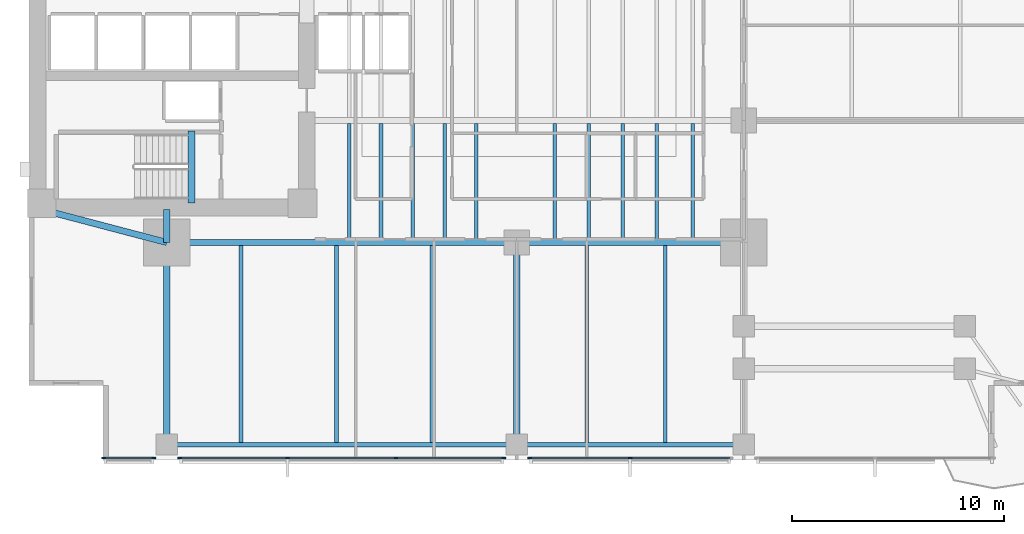
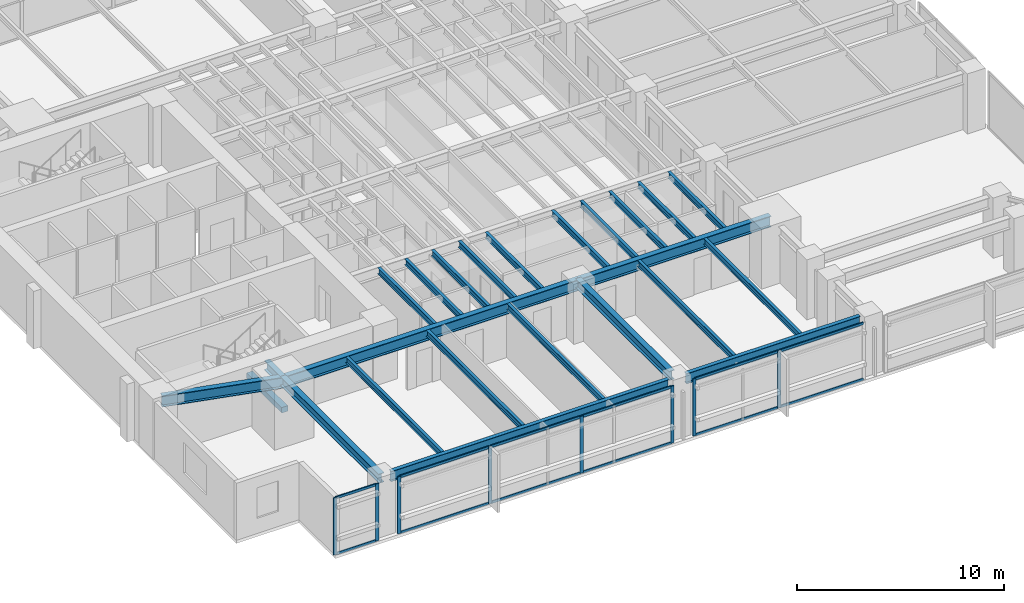
# One storey, part 2 of 16: 24 beams, 20 members, 3 elements without a shape of their own.
"""IFC4 building model written with IfcOpenShell, lengths in metres."""

from ifc_helpers import new_model, si_unit, direction, frame, origin, origin_2d, place, context, subcontext, project, spatial, rectangle, i_section, extrude, material, layer, layer_set, material_profile, profile_set, type_object, element, aggregate, save


model = new_model("IFC4")

# Units and contexts
model_context = context("Model", 3, precision=1e-05, world=origin(), true_north=direction((0.0, 1.0)))
body_context = subcontext(model_context, "Body", "Model", "MODEL_VIEW")
ifc_project = project(units=[si_unit("LENGTHUNIT", "METRE"), si_unit("AREAUNIT", "SQUARE_METRE"), si_unit("VOLUMEUNIT", "CUBIC_METRE"), si_unit("PLANEANGLEUNIT", "RADIAN"), si_unit("MASSUNIT", "GRAM", prefix="KILO")], contexts=[model_context])

# Site, building, storey
site_placement = place(None, origin())
site = spatial("IfcSite", under=ifc_project, at=site_placement, CompositionType="ELEMENT")
building_placement = place(site_placement, origin())
building = spatial("IfcBuilding", under=site, at=building_placement, Name="Kinhvarn Gate Tower", CompositionType="ELEMENT")
storey_placement = place(building_placement, frame((0.0, 0.0, 82.39990234375)))
storey = spatial("IfcBuildingStorey", under=building, at=storey_placement, Name="L21", CompositionType="ELEMENT", Elevation=82.39990234375)

# Beam
ifc_material_1 = material(Name="Concrete C50/60", Category="concrete")
ifc_material_profile_1 = material_profile(ifc_material_1, rectangle(XDim=0.340087890625, YDim=0.320068359375, at=origin_2d()), Name="RC 340x320")
ifc_profile_set_1 = profile_set([ifc_material_profile_1], Name="Concrete C50/60")
beam_type_1 = type_object("IfcBeamType", Name="BM-LND-500", PredefinedType="BEAM", material=ifc_profile_set_1)
beam_1_placement = place(storey_placement, frame((12.1650390625, 14.60009765625, -0.159912109375), z_axis=(0.0, 1.0, 0.0), x_axis=(-1.0, 0.0, 0.0)))
element("IfcBeam", 1, at=beam_1_placement, inside=storey, type_object=beam_type_1, Name="Stair ST1 Landing Nosing Beam (L21)", PredefinedType="BEAM", context=body_context, shape_type="SweptSolid", body=[
    extrude(rectangle(XDim=0.340087890625, YDim=0.320068359375, at=origin_2d()), origin(), (0.0, 0.0, 1.0), 3.39990234375),
])

# Curtain wall, members
ifc_material_2 = material(Name="Anodised aluminium AW-6063", Category="aluminium")
ifc_layer = layer(ifc_material_2, 0.179931640625)
ifc_layer_set = layer_set([ifc_layer], Name="Anodised aluminium AW-6063")
curtain_wall_type = type_object("IfcCurtainWallType", Name="CW-SYS-2", PredefinedType="NOTDEFINED", material=ifc_layer_set)
curtain_wall_1_placement = place(storey_placement, origin())
curtain_wall_1 = element("IfcCurtainWall", 2, at=curtain_wall_1_placement, inside=storey, type_object=curtain_wall_type, Name="Curtain Wall CW2 (L21)", PredefinedType="NOTDEFINED")
ifc_material_profile_2 = material_profile(ifc_material_2, rectangle(XDim=0.070068359375, YDim=0.179931640625, at=origin_2d()), Name="ALU 70x180")
ifc_profile_set_2 = profile_set([ifc_material_profile_2], Name="Anodised aluminium AW-6063")
member_type_1 = type_object("IfcMemberType", Name="CW-MUL-180", PredefinedType="MULLION", material=ifc_profile_set_2)
member_1_placement = place(storey_placement, frame((8.034912109375, 2.590087890625, 0.0), z_axis=(0.0, 0.0, 1.0), x_axis=(0.0, 1.0, 0.0)))
member_1 = element("IfcMember", 3, at=member_1_placement, type_object=member_type_1, Name="CW2 mullion 1", PredefinedType="MULLION", context=body_context, shape_type="SweptSolid", body=[
    extrude(rectangle(XDim=0.070068359375, YDim=0.179931640625, at=origin_2d()), origin(), (0.0, 0.0, 1.0), 3.3701171875),
])
member_2_placement = place(storey_placement, frame((10.385009765625, 2.590087890625, 0.0), z_axis=(0.0, 0.0, 1.0), x_axis=(0.0, 1.0, 0.0)))
member_2 = element("IfcMember", 4, at=member_2_placement, type_object=member_type_1, Name="CW2 mullion 2", PredefinedType="MULLION", context=body_context, shape_type="SweptSolid", body=[
    extrude(rectangle(XDim=0.070068359375, YDim=0.179931640625, at=origin_2d()), origin(), (0.0, 0.0, 1.0), 3.3701171875),
])

curtain_wall_2_placement = place(storey_placement, origin())
curtain_wall_2 = element("IfcCurtainWall", 5, at=curtain_wall_2_placement, inside=storey, type_object=curtain_wall_type, Name="Curtain Wall CW2 (L21)", PredefinedType="NOTDEFINED")
member_3_placement = place(storey_placement, frame((11.614990234375, 2.590087890625, 0.0), z_axis=(0.0, 0.0, 1.0), x_axis=(0.0, 1.0, 0.0)))
member_3 = element("IfcMember", 6, at=member_3_placement, type_object=member_type_1, Name="CW2 mullion 1", PredefinedType="MULLION", context=body_context, shape_type="SweptSolid", body=[
    extrude(rectangle(XDim=0.070068359375, YDim=0.179931640625, at=origin_2d()), origin(), (0.0, 0.0, 1.0), 3.3701171875),
])
member_4_placement = place(storey_placement, frame((16.693359375, 2.590087890625, 0.0), z_axis=(0.0, 0.0, 1.0), x_axis=(0.0, 1.0, 0.0)))
member_4 = element("IfcMember", 7, at=member_4_placement, type_object=member_type_1, Name="CW2 mullion 2", PredefinedType="MULLION", context=body_context, shape_type="SweptSolid", body=[
    extrude(rectangle(XDim=0.070068359375, YDim=0.179931640625, at=origin_2d()), origin(), (0.0, 0.0, 1.0), 3.3701171875),
])
member_5_placement = place(storey_placement, frame((21.806640625, 2.590087890625, 0.0), z_axis=(0.0, 0.0, 1.0), x_axis=(0.0, 1.0, 0.0)))
member_5 = element("IfcMember", 8, at=member_5_placement, type_object=member_type_1, Name="CW2 mullion 3", PredefinedType="MULLION", context=body_context, shape_type="SweptSolid", body=[
    extrude(rectangle(XDim=0.070068359375, YDim=0.179931640625, at=origin_2d()), origin(), (0.0, 0.0, 1.0), 3.3701171875),
])
member_6_placement = place(storey_placement, frame((26.885009765625, 2.590087890625, 0.0), z_axis=(0.0, 0.0, 1.0), x_axis=(0.0, 1.0, 0.0)))
member_6 = element("IfcMember", 9, at=member_6_placement, type_object=member_type_1, Name="CW2 mullion 4", PredefinedType="MULLION", context=body_context, shape_type="SweptSolid", body=[
    extrude(rectangle(XDim=0.070068359375, YDim=0.179931640625, at=origin_2d()), origin(), (0.0, 0.0, 1.0), 3.3701171875),
])

curtain_wall_3_placement = place(storey_placement, origin())
curtain_wall_3 = element("IfcCurtainWall", 10, at=curtain_wall_3_placement, inside=storey, type_object=curtain_wall_type, Name="Curtain Wall CW2 (L21)", PredefinedType="NOTDEFINED")
member_7_placement = place(storey_placement, frame((28.114990234375, 2.590087890625, 0.0), z_axis=(0.0, 0.0, 1.0), x_axis=(0.0, 1.0, 0.0)))
member_7 = element("IfcMember", 11, at=member_7_placement, type_object=member_type_1, Name="CW2 mullion 1", PredefinedType="MULLION", context=body_context, shape_type="SweptSolid", body=[
    extrude(rectangle(XDim=0.070068359375, YDim=0.179931640625, at=origin_2d()), origin(), (0.0, 0.0, 1.0), 3.3701171875),
])
member_8_placement = place(storey_placement, frame((32.85009765625, 2.590087890625, 0.0), z_axis=(0.0, 0.0, 1.0), x_axis=(0.0, 1.0, 0.0)))
member_8 = element("IfcMember", 12, at=member_8_placement, type_object=member_type_1, Name="CW2 mullion 2", PredefinedType="MULLION", context=body_context, shape_type="SweptSolid", body=[
    extrude(rectangle(XDim=0.070068359375, YDim=0.179931640625, at=origin_2d()), origin(), (0.0, 0.0, 1.0), 3.3701171875),
])

# Member
ifc_material_profile_3 = material_profile(ifc_material_2, rectangle(XDim=0.070068359375, YDim=0.139892578125, at=origin_2d()), Name="ALU 70x140")
ifc_profile_set_3 = profile_set([ifc_material_profile_3], Name="Anodised aluminium AW-6063")
member_type_2 = type_object("IfcMemberType", Name="CW-TRN-140", PredefinedType="USERDEFINED", material=ifc_profile_set_3)
member_9_placement = place(storey_placement, frame((8.070068359375, 2.590087890625, 0.03515625), z_axis=(1.0, 0.0, 0.0), x_axis=(0.0, 1.0, 0.0)))
member_9 = element("IfcMember", 13, at=member_9_placement, type_object=member_type_2, Name="CW2 transom 1.1", ObjectType="TRANSOM", PredefinedType="USERDEFINED", context=body_context, shape_type="SweptSolid", body=[
    extrude(rectangle(XDim=0.070068359375, YDim=0.139892578125, at=origin_2d()), origin(), (0.0, 0.0, 1.0), 2.280029296875),
])

member_10_placement = place(storey_placement, frame((8.070068359375, 2.590087890625, 3.335205078125), z_axis=(1.0, 0.0, 0.0), x_axis=(0.0, 1.0, 0.0)))
member_10 = element("IfcMember", 14, at=member_10_placement, type_object=member_type_2, Name="CW2 transom 1.2", ObjectType="TRANSOM", PredefinedType="USERDEFINED", context=body_context, shape_type="SweptSolid", body=[
    extrude(rectangle(XDim=0.070068359375, YDim=0.139892578125, at=origin_2d()), origin(), (0.0, 0.0, 1.0), 2.280029296875),
])

aggregate(curtain_wall_1, [member_1, member_2, member_9, member_10])

member_11_placement = place(storey_placement, frame((11.64990234375, 2.590087890625, 0.03515625), z_axis=(1.0, 0.0, 0.0), x_axis=(0.0, 1.0, 0.0)))
member_11 = element("IfcMember", 15, at=member_11_placement, type_object=member_type_2, Name="CW2 transom 1.1", ObjectType="TRANSOM", PredefinedType="USERDEFINED", context=body_context, shape_type="SweptSolid", body=[
    extrude(rectangle(XDim=0.070068359375, YDim=0.139892578125, at=origin_2d()), origin(), (0.0, 0.0, 1.0), 5.008544921875),
])

member_12_placement = place(storey_placement, frame((11.64990234375, 2.590087890625, 3.335205078125), z_axis=(1.0, 0.0, 0.0), x_axis=(0.0, 1.0, 0.0)))
member_12 = element("IfcMember", 16, at=member_12_placement, type_object=member_type_2, Name="CW2 transom 1.2", ObjectType="TRANSOM", PredefinedType="USERDEFINED", context=body_context, shape_type="SweptSolid", body=[
    extrude(rectangle(XDim=0.070068359375, YDim=0.139892578125, at=origin_2d()), origin(), (0.0, 0.0, 1.0), 5.008544921875),
])

member_13_placement = place(storey_placement, frame((16.728271484375, 2.590087890625, 0.03515625), z_axis=(1.0, 0.0, 0.0), x_axis=(0.0, 1.0, 0.0)))
member_13 = element("IfcMember", 17, at=member_13_placement, type_object=member_type_2, Name="CW2 transom 2.1", ObjectType="TRANSOM", PredefinedType="USERDEFINED", context=body_context, shape_type="SweptSolid", body=[
    extrude(rectangle(XDim=0.070068359375, YDim=0.139892578125, at=origin_2d()), origin(), (0.0, 0.0, 1.0), 5.04345703125),
])

member_14_placement = place(storey_placement, frame((16.728271484375, 2.590087890625, 3.335205078125), z_axis=(1.0, 0.0, 0.0), x_axis=(0.0, 1.0, 0.0)))
member_14 = element("IfcMember", 18, at=member_14_placement, type_object=member_type_2, Name="CW2 transom 2.2", ObjectType="TRANSOM", PredefinedType="USERDEFINED", context=body_context, shape_type="SweptSolid", body=[
    extrude(rectangle(XDim=0.070068359375, YDim=0.139892578125, at=origin_2d()), origin(), (0.0, 0.0, 1.0), 5.04345703125),
])

member_15_placement = place(storey_placement, frame((21.841552734375, 2.590087890625, 0.03515625), z_axis=(1.0, 0.0, 0.0), x_axis=(0.0, 1.0, 0.0)))
member_15 = element("IfcMember", 19, at=member_15_placement, type_object=member_type_2, Name="CW2 transom 3.1", ObjectType="TRANSOM", PredefinedType="USERDEFINED", context=body_context, shape_type="SweptSolid", body=[
    extrude(rectangle(XDim=0.070068359375, YDim=0.139892578125, at=origin_2d()), origin(), (0.0, 0.0, 1.0), 5.008544921875),
])

member_16_placement = place(storey_placement, frame((21.841552734375, 2.590087890625, 3.335205078125), z_axis=(1.0, 0.0, 0.0), x_axis=(0.0, 1.0, 0.0)))
member_16 = element("IfcMember", 20, at=member_16_placement, type_object=member_type_2, Name="CW2 transom 3.2", ObjectType="TRANSOM", PredefinedType="USERDEFINED", context=body_context, shape_type="SweptSolid", body=[
    extrude(rectangle(XDim=0.070068359375, YDim=0.139892578125, at=origin_2d()), origin(), (0.0, 0.0, 1.0), 5.008544921875),
])

aggregate(curtain_wall_2, [member_3, member_4, member_5, member_6, member_11, member_12, member_13, member_14, member_15, member_16])

member_17_placement = place(storey_placement, frame((28.14990234375, 2.590087890625, 0.03515625), z_axis=(1.0, 0.0, 0.0), x_axis=(0.0, 1.0, 0.0)))
member_17 = element("IfcMember", 21, at=member_17_placement, type_object=member_type_2, Name="CW2 transom 1.1", ObjectType="TRANSOM", PredefinedType="USERDEFINED", context=body_context, shape_type="SweptSolid", body=[
    extrude(rectangle(XDim=0.070068359375, YDim=0.139892578125, at=origin_2d()), origin(), (0.0, 0.0, 1.0), 4.6650390625),
])

member_18_placement = place(storey_placement, frame((28.14990234375, 2.590087890625, 3.335205078125), z_axis=(1.0, 0.0, 0.0), x_axis=(0.0, 1.0, 0.0)))
member_18 = element("IfcMember", 22, at=member_18_placement, type_object=member_type_2, Name="CW2 transom 1.2", ObjectType="TRANSOM", PredefinedType="USERDEFINED", context=body_context, shape_type="SweptSolid", body=[
    extrude(rectangle(XDim=0.070068359375, YDim=0.139892578125, at=origin_2d()), origin(), (0.0, 0.0, 1.0), 4.6650390625),
])

member_19_placement = place(storey_placement, frame((32.885009765625, 2.590087890625, 0.03515625), z_axis=(1.0, 0.0, 0.0), x_axis=(0.0, 1.0, 0.0)))
member_19 = element("IfcMember", 23, at=member_19_placement, type_object=member_type_2, Name="CW2 transom 2.1", ObjectType="TRANSOM", PredefinedType="USERDEFINED", context=body_context, shape_type="SweptSolid", body=[
    extrude(rectangle(XDim=0.070068359375, YDim=0.139892578125, at=origin_2d()), origin(), (0.0, 0.0, 1.0), 4.6650390625),
])

member_20_placement = place(storey_placement, frame((32.885009765625, 2.590087890625, 3.335205078125), z_axis=(1.0, 0.0, 0.0), x_axis=(0.0, 1.0, 0.0)))
member_20 = element("IfcMember", 24, at=member_20_placement, type_object=member_type_2, Name="CW2 transom 2.2", ObjectType="TRANSOM", PredefinedType="USERDEFINED", context=body_context, shape_type="SweptSolid", body=[
    extrude(rectangle(XDim=0.070068359375, YDim=0.139892578125, at=origin_2d()), origin(), (0.0, 0.0, 1.0), 4.6650390625),
])

aggregate(curtain_wall_3, [member_7, member_8, member_17, member_18, member_19, member_20])

# Beams
ifc_material_3 = material(Name="Steel S355", Category="steel")
ifc_material_profile_4 = material_profile(ifc_material_3, i_section(OverallWidth=0.300048828125, OverallDepth=0.550048828125, WebThickness=0.014892578125, FlangeThickness=0.029052734375, at=origin_2d()), Name="HEB 550")
ifc_profile_set_4 = profile_set([ifc_material_profile_4], Name="Steel S355")
beam_type_2 = type_object("IfcBeamType", Name="STL-HEB550", PredefinedType="BEAM", material=ifc_profile_set_4)
beam_2_placement = place(storey_placement, frame((11.0, 3.219970703125, 3.09521484375), z_axis=(0.0, 1.0, 0.0), x_axis=(-1.0, 0.0, 0.0)))
element("IfcBeam", 25, at=beam_2_placement, inside=storey, type_object=beam_type_2, Name="Floor Beam PG-15 (L21 MCW-S)", PredefinedType="BEAM", context=body_context, shape_type="SweptSolid", body=[
    extrude(i_section(OverallWidth=0.300048828125, OverallDepth=0.550048828125, WebThickness=0.014892578125, FlangeThickness=0.029052734375, at=origin_2d()), origin(), (0.0, 0.0, 1.0), 9.530029296875),
])
beam_3_placement = place(storey_placement, frame((11.0, 12.75, 3.09521484375), z_axis=(0.0, 1.0, 0.0), x_axis=(-1.0, 0.0, 0.0)))
element("IfcBeam", 26, at=beam_3_placement, inside=storey, type_object=beam_type_2, Name="Floor Beam PG-15 (L21 MCW-CS)", PredefinedType="BEAM", context=body_context, shape_type="SweptSolid", body=[
    extrude(i_section(OverallWidth=0.300048828125, OverallDepth=0.550048828125, WebThickness=0.014892578125, FlangeThickness=0.029052734375, at=origin_2d()), origin(), (0.0, 0.0, 1.0), 1.550048828125),
])
beam_4_placement = place(storey_placement, frame((27.5, 3.705078125, 3.09521484375), z_axis=(0.0, 1.0, 0.0), x_axis=(-1.0, 0.0, 0.0)))
element("IfcBeam", 27, at=beam_4_placement, inside=storey, type_object=beam_type_2, Name="Floor Beam PG-15 (L21 SP27-S-TIE)", PredefinedType="BEAM", context=body_context, shape_type="SweptSolid", body=[
    extrude(i_section(OverallWidth=0.300048828125, OverallDepth=0.550048828125, WebThickness=0.014892578125, FlangeThickness=0.029052734375, at=origin_2d()), origin(), (0.0, 0.0, 1.0), 9.044921875),
])
ifc_material_profile_5 = material_profile(ifc_material_3, i_section(OverallWidth=0.300048828125, OverallDepth=0.64990234375, WebThickness=0.01611328125, FlangeThickness=0.031005859375, at=origin_2d()), Name="HEB 650")
ifc_profile_set_5 = profile_set([ifc_material_profile_5], Name="Steel S355")
beam_type_3 = type_object("IfcBeamType", Name="STL-HEB650", PredefinedType="BEAM", material=ifc_profile_set_5)
beam_5_placement = place(storey_placement, frame((11.0, 12.75, 3.045166015625), z_axis=(1.0, 0.0, 0.0), x_axis=(0.0, 1.0, 0.0)))
element("IfcBeam", 28, at=beam_5_placement, inside=storey, type_object=beam_type_3, Name="Floor Beam PG-17 (L21 MG-S1)", PredefinedType="BEAM", context=body_context, shape_type="SweptSolid", body=[
    extrude(i_section(OverallWidth=0.300048828125, OverallDepth=0.64990234375, WebThickness=0.01611328125, FlangeThickness=0.031005859375, at=origin_2d()), origin(), (0.0, 0.0, 1.0), 16.5),
])
beam_6_placement = place(storey_placement, frame((27.5, 12.75, 3.045166015625), z_axis=(1.0, 0.0, 0.0), x_axis=(0.0, 1.0, 0.0)))
element("IfcBeam", 29, at=beam_6_placement, inside=storey, type_object=beam_type_3, Name="Floor Beam PG-17 (L21 MG-S2)", PredefinedType="BEAM", context=body_context, shape_type="SweptSolid", body=[
    extrude(i_section(OverallWidth=0.300048828125, OverallDepth=0.64990234375, WebThickness=0.01611328125, FlangeThickness=0.031005859375, at=origin_2d()), origin(), (0.0, 0.0, 1.0), 10.699951171875),
])
beam_7_placement = place(storey_placement, frame((5.10009765625, 14.300048828125, 3.045166015625), z_axis=(0.967177623957, -0.254101246979, 0.0), x_axis=(0.254101246979, 0.967177623957, 0.0)))
element("IfcBeam", 30, at=beam_7_placement, inside=storey, type_object=beam_type_3, Name="Floor Beam PG-17 (L21 MG-SW-DIAG)", PredefinedType="BEAM", context=body_context, shape_type="SweptSolid", body=[
    extrude(i_section(OverallWidth=0.300048828125, OverallDepth=0.64990234375, WebThickness=0.01611328125, FlangeThickness=0.031005859375, at=origin_2d()), origin(), (0.0, 0.0, 1.0), 6.10009765625),
])
ifc_material_profile_6 = material_profile(ifc_material_3, i_section(OverallWidth=0.169921875, OverallDepth=0.360107421875, WebThickness=0.008056640625, FlangeThickness=0.0126953125, at=origin_2d()), Name="IPE 360")
ifc_profile_set_6 = profile_set([ifc_material_profile_6], Name="Steel S355")
beam_type_4 = type_object("IfcBeamType", Name="STL-IPE360", PredefinedType="JOIST", material=ifc_profile_set_6)
for number, where, z_axis, x_axis, name in (
    (31, (19.60009765625, 12.89990234375, 3.190185546875), (0.0, 1.0, 0.0), (-1.0, 0.0, 0.0), "Floor Joist SB-04 (L21 JC-X196-0)"),
    (32, (21.10009765625, 12.89990234375, 3.190185546875), (0.0, 1.0, 0.0), (-1.0, 0.0, 0.0), "Floor Joist SB-04 (L21 JC-X211-0)"),
    (33, (22.60009765625, 12.89990234375, 3.190185546875), (0.0, 1.0, 0.0), (-1.0, 0.0, 0.0), "Floor Joist SB-04 (L21 JC-X226-0)"),
    (34, (24.10009765625, 12.89990234375, 3.190185546875), (0.0, 1.0, 0.0), (-1.0, 0.0, 0.0), "Floor Joist SB-04 (L21 JC-X241-0)"),
    (35, (25.60009765625, 12.89990234375, 3.190185546875), (0.0, 1.0, 0.0), (-1.0, 0.0, 0.0), "Floor Joist SB-04 (L21 JC-X256-0)"),
    (36, (29.300048828125, 12.89990234375, 3.190185546875), (0.0, 1.0, 0.0), (-1.0, 0.0, 0.0), "Floor Joist SB-04 (L21 JC-X293-0)"),
    (37, (30.89990234375, 12.89990234375, 3.190185546875), (0.0, 1.0, 0.0), (-1.0, 0.0, 0.0), "Floor Joist SB-04 (L21 JC-X309-0)"),
    (38, (32.5, 12.89990234375, 3.190185546875), (0.0, 1.0, 0.0), (-1.0, 0.0, 0.0), "Floor Joist SB-04 (L21 JC-X325-0)"),
    (39, (34.10009765625, 12.89990234375, 3.190185546875), (0.0, 1.0, 0.0), (-1.0, 0.0, 0.0), "Floor Joist SB-04 (L21 JC-X341-0)"),
    (40, (35.800048828125, 12.89990234375, 3.190185546875), (0.0, 1.0, 0.0), (-1.0, 0.0, 0.0), "Floor Joist SB-04 (L21 JC-X358-0)"),
):
    element("IfcBeam", number, at=place(storey_placement, frame(where, z_axis=z_axis, x_axis=x_axis)), inside=storey, type_object=beam_type_4, Name=name, PredefinedType="JOIST", context=body_context, shape_type="SweptSolid", body=[
        extrude(i_section(OverallWidth=0.169921875, OverallDepth=0.360107421875, WebThickness=0.008056640625, FlangeThickness=0.0126953125, at=origin_2d()), origin(), (0.0, 0.0, 1.0), 5.4501953125),
    ])
for number, where, z_axis, x_axis, name in (
    (41, (14.5, 3.330078125, 3.190185546875), (0.0, 1.0, 0.0), (-1.0, 0.0, 0.0), "Floor Joist SB-04 (L21 JS-X145)"),
    (42, (19.0, 3.330078125, 3.190185546875), (0.0, 1.0, 0.0), (-1.0, 0.0, 0.0), "Floor Joist SB-04 (L21 JS-X190)"),
    (43, (23.5, 3.330078125, 3.190185546875), (0.0, 1.0, 0.0), (-1.0, 0.0, 0.0), "Floor Joist SB-04 (L21 JS-X235)"),
    (44, (30.800048828125, 3.330078125, 3.190185546875), (0.0, 1.0, 0.0), (-1.0, 0.0, 0.0), "Floor Joist SB-04 (L21 JS-X308)"),
    (45, (34.5, 3.330078125, 3.190185546875), (0.0, 1.0, 0.0), (-1.0, 0.0, 0.0), "Floor Joist SB-04 (L21 JS-X345)"),
):
    element("IfcBeam", number, at=place(storey_placement, frame(where, z_axis=z_axis, x_axis=x_axis)), inside=storey, type_object=beam_type_4, Name=name, PredefinedType="JOIST", context=body_context, shape_type="SweptSolid", body=[
        extrude(i_section(OverallWidth=0.169921875, OverallDepth=0.360107421875, WebThickness=0.008056640625, FlangeThickness=0.0126953125, at=origin_2d()), origin(), (0.0, 0.0, 1.0), 9.27001953125),
    ])
ifc_material_profile_7 = material_profile(ifc_material_3, i_section(OverallWidth=0.219970703125, OverallDepth=0.60009765625, WebThickness=0.011962890625, FlangeThickness=0.01904296875, at=origin_2d()), Name="IPE 600")
ifc_profile_set_7 = profile_set([ifc_material_profile_7], Name="Steel S355")
beam_type_5 = type_object("IfcBeamType", Name="STL-IPE600", PredefinedType="SPANDREL", material=ifc_profile_set_7)
beam_8_placement = place(storey_placement, frame((11.485107421875, 3.219970703125, 3.070068359375), z_axis=(1.0, 0.0, 0.0), x_axis=(0.0, 1.0, 0.0)))
element("IfcBeam", 46, at=beam_8_placement, inside=storey, type_object=beam_type_5, Name="Floor Spandrel SB-09 (L21 SP-S1)", PredefinedType="SPANDREL", context=body_context, shape_type="SweptSolid", body=[
    extrude(i_section(OverallWidth=0.219970703125, OverallDepth=0.60009765625, WebThickness=0.011962890625, FlangeThickness=0.01904296875, at=origin_2d()), origin(), (0.0, 0.0, 1.0), 15.52978515625),
])
beam_9_placement = place(storey_placement, frame((27.985107421875, 3.219970703125, 3.070068359375), z_axis=(1.0, 0.0, 0.0), x_axis=(0.0, 1.0, 0.0)))
element("IfcBeam", 47, at=beam_9_placement, inside=storey, type_object=beam_type_5, Name="Floor Spandrel SB-09 (L21 SP-S2)", PredefinedType="SPANDREL", context=body_context, shape_type="SweptSolid", body=[
    extrude(i_section(OverallWidth=0.219970703125, OverallDepth=0.60009765625, WebThickness=0.011962890625, FlangeThickness=0.01904296875, at=origin_2d()), origin(), (0.0, 0.0, 1.0), 9.72998046875),
])

save(model, "model.ifc")
